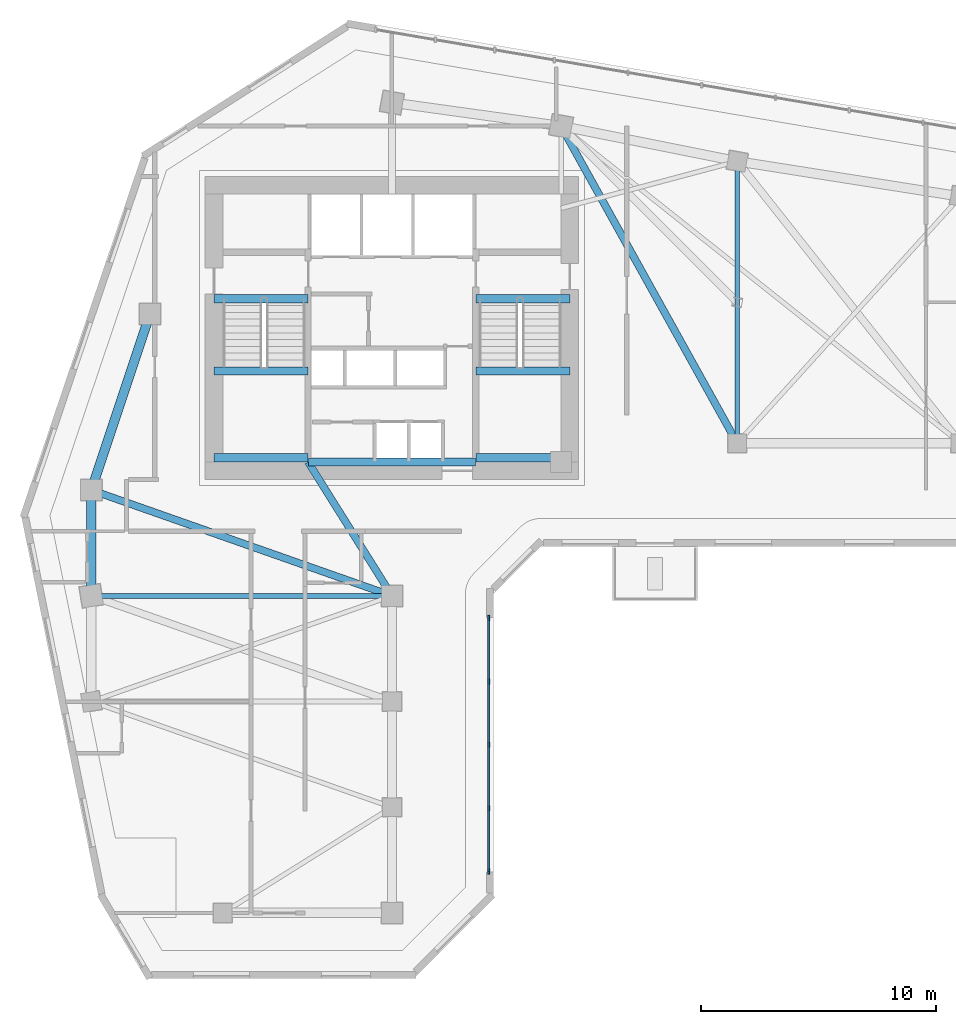
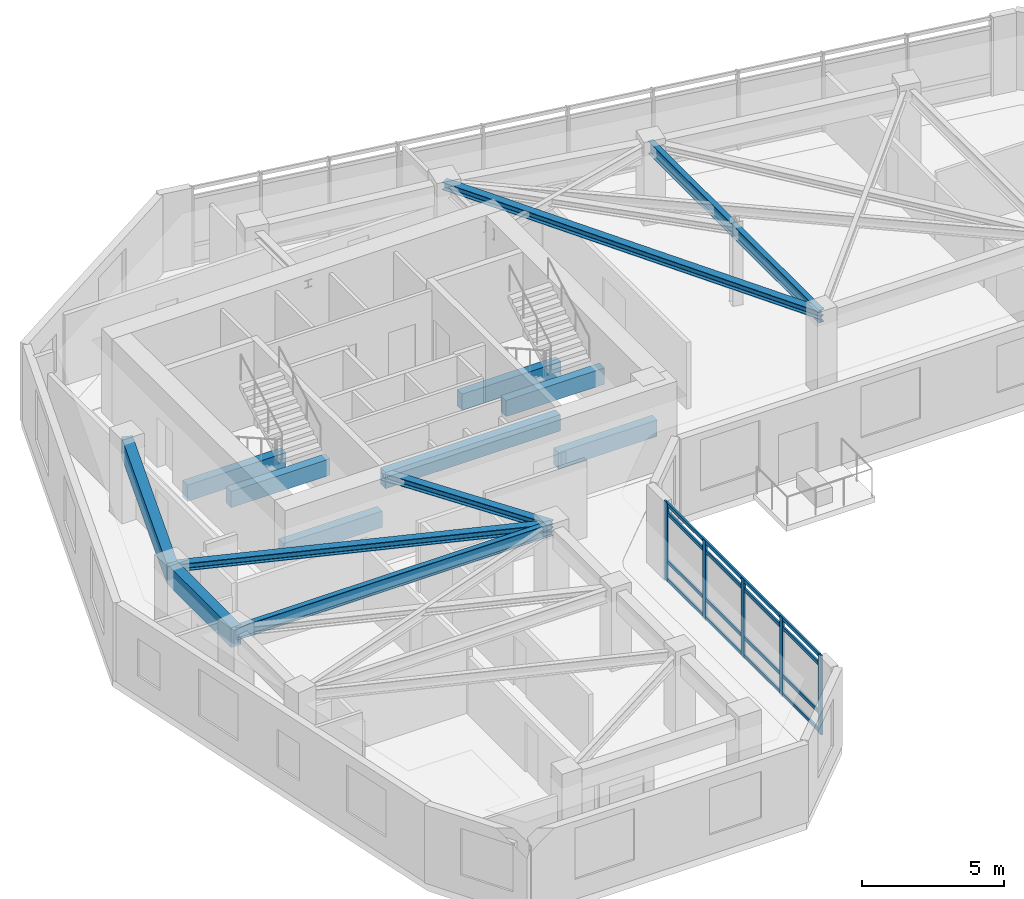
# One storey, part 2 of 10: 14 beams, 9 members, 1 element without a shape of its own.
"""IFC4 building model written with IfcOpenShell, lengths in metres."""

import ifcopenshell
import ifcopenshell.guid

model = None  # the IFC model being written
_history = None  # IfcOwnerHistory: only IFC2X3 demands one
_inside = {}  # id of a spatial element -> (the spatial element, [elements in it])
_under = {}  # id of a project, library or spatial element -> (it, [spatial elements below it])
_declared = {}  # id of a project -> (the project, [libraries it declares])
_typed = {}  # id of a type object -> (the type object, [elements of that type])
_made_of = {}  # id of a material, layer set ... -> (it, [elements and type objects made of it])


def new_model(schema):
    """Start an empty IFC model of exactly this schema.

    Asked for "IFC4X3", IfcOpenShell would pick the latest addendum, in which some entities
    have other attributes; the version numbers below select the first issue.
    IFC2X3 requires an IfcOwnerHistory on every rooted entity: one is made here for all.
    """
    global model, _history
    if schema == "IFC4X3":
        model = ifcopenshell.file(schema_version=(4, 3, 0, 0))
    else:
        model = ifcopenshell.file(schema=schema)
    _inside.clear()
    _under.clear()
    _declared.clear()
    _typed.clear()
    _made_of.clear()
    _history = None
    if model.schema == "IFC2X3":
        org = make("IfcOrganization", Name="unknown")
        user = make(
            "IfcPersonAndOrganization",
            ThePerson=make("IfcPerson", FamilyName="unknown"),
            TheOrganization=org,
        )
        app = make(
            "IfcApplication",
            ApplicationDeveloper=org,
            Version="unknown",
            ApplicationFullName="unknown",
            ApplicationIdentifier="unknown",
        )
        _history = make(
            "IfcOwnerHistory",
            OwningUser=user,
            OwningApplication=app,
            ChangeAction="ADDED",
            CreationDate=0,
        )
    return model


def make(cls, **values):
    """One entity of the class cls with the attributes given. An attribute that is None is left unset."""
    return model.create_entity(
        cls, **{name: value for name, value in values.items() if value is not None}
    )


def rooted(cls, **values):
    """An entity with a GlobalId (a new one), such as an element, a storey or a relation."""
    return make(cls, GlobalId=ifcopenshell.guid.new(), OwnerHistory=_history, **values)


def si_unit(unit_type, name, prefix=None):
    """IfcSIUnit, for example si_unit("LENGTHUNIT", "METRE", prefix="MILLI")."""
    return make("IfcSIUnit", UnitType=unit_type, Prefix=prefix, Name=name)


def assignment(units):
    """IfcUnitAssignment: the units of a project."""
    return None if units is None else make("IfcUnitAssignment", Units=units)


def point(xyz):
    """IfcCartesianPoint."""
    return None if xyz is None else make("IfcCartesianPoint", Coordinates=xyz)


def direction(xyz):
    """IfcDirection."""
    return None if xyz is None else make("IfcDirection", DirectionRatios=xyz)


def frame(location, z_axis=None, x_axis=None):
    """IfcAxis2Placement3D, a coordinate frame: its origin and axes. An axis left out is left unset."""
    return make(
        "IfcAxis2Placement3D",
        Location=point(location),
        Axis=direction(z_axis),
        RefDirection=direction(x_axis),
    )


def frame_2d(location, x_axis=None):
    """IfcAxis2Placement2D, a coordinate frame in the plane: its origin and x axis."""
    return make(
        "IfcAxis2Placement2D", Location=point(location), RefDirection=direction(x_axis)
    )


def origin():
    """The frame at (0, 0, 0) with its axes left unset."""
    return frame((0.0, 0.0, 0.0))


def origin_2d():
    """The frame at (0, 0) in the plane with its x axis left unset."""
    return frame_2d((0.0, 0.0))


def place(relative_to, where):
    """IfcLocalPlacement: puts the frame where relative to a parent placement (None: the world)."""
    return make(
        "IfcLocalPlacement", PlacementRelTo=relative_to, RelativePlacement=where
    )


def context(
    kind, dimensions, precision=None, world=None, true_north=None, identifier=None
):
    """IfcGeometricRepresentationContext, for example the 3D "Model" context."""
    return make(
        "IfcGeometricRepresentationContext",
        ContextIdentifier=identifier,
        ContextType=kind,
        CoordinateSpaceDimension=dimensions,
        Precision=precision,
        WorldCoordinateSystem=world,
        TrueNorth=true_north,
    )


def subcontext(parent, identifier, kind, view, scale=None):
    """IfcGeometricRepresentationSubContext, for example "Body" below "Model"."""
    return make(
        "IfcGeometricRepresentationSubContext",
        ContextIdentifier=identifier,
        ContextType=kind,
        ParentContext=parent,
        TargetScale=scale,
        TargetView=view,
    )


def project(units=None, contexts=None):
    """IfcProject with its units and contexts."""
    return rooted(
        "IfcProject",
        Name="project",
        RepresentationContexts=contexts,
        UnitsInContext=assignment(units),
    )


def spatial(cls, under=None, at=None, **own):
    """A site, building, storey or space (cls), placed at a placement, below another one or the project."""
    s = rooted(cls, ObjectPlacement=at, **own)
    if under is not None:
        _under.setdefault(under.id(), (under, []))[1].append(s)
    return s


def profile(cls, at=None, kind="AREA", **sizes):
    """A parametric profile (cls). Its sizes go by their IFC names, for example OverallWidth=200.0."""
    return make(cls, ProfileType=kind, Position=at, **sizes)


def rectangle(**sizes):
    """IfcRectangleProfileDef."""
    return profile("IfcRectangleProfileDef", **sizes)


def i_section(**sizes):
    """IfcIShapeProfileDef."""
    return profile("IfcIShapeProfileDef", **sizes)


def extrude(swept, where, along, depth):
    """IfcExtrudedAreaSolid: the profile swept, set in the frame where, extruded along a direction by depth."""
    return make(
        "IfcExtrudedAreaSolid",
        SweptArea=swept,
        Position=where,
        ExtrudedDirection=direction(along),
        Depth=depth,
    )


def shape(context_of_items, identifier, shape_type, items):
    """IfcShapeRepresentation: the items that make up one representation, for example the "Body"."""
    return make(
        "IfcShapeRepresentation",
        ContextOfItems=context_of_items,
        RepresentationIdentifier=identifier,
        RepresentationType=shape_type,
        Items=items,
    )


def source(mapping_origin, context_of_items, identifier, shape_type, items):
    """IfcRepresentationMap: a shape defined once, which mapped items show again and again."""
    return make(
        "IfcRepresentationMap",
        MappingOrigin=mapping_origin,
        MappedRepresentation=shape(context_of_items, identifier, shape_type, items),
    )


def transform(
    local_origin,
    x_axis=None,
    y_axis=None,
    z_axis=None,
    scale=None,
    scale2=None,
    scale3=None,
    uniform=True,
):
    """IfcCartesianTransformationOperator3D, or its non-uniform kind. x_axis, y_axis, z_axis: its Axis1, 2, 3."""
    if uniform:
        return make(
            "IfcCartesianTransformationOperator3D",
            Axis1=direction(x_axis),
            Axis2=direction(y_axis),
            LocalOrigin=point(local_origin),
            Scale=scale,
            Axis3=direction(z_axis),
        )
    return make(
        "IfcCartesianTransformationOperator3DnonUniform",
        Axis1=direction(x_axis),
        Axis2=direction(y_axis),
        LocalOrigin=point(local_origin),
        Scale=scale,
        Axis3=direction(z_axis),
        Scale2=scale2,
        Scale3=scale3,
    )


def mapped(mapping_source, mapping_target):
    """IfcMappedItem: shows the shape of a source again, moved by a transform."""
    return make(
        "IfcMappedItem", MappingSource=mapping_source, MappingTarget=mapping_target
    )


def material(Name=None, Category=None):
    """IfcMaterial."""
    return make("IfcMaterial", Name=Name, Category=Category)


def material_profile(
    of_material, cross_section, Name=None, Category=None, Priority=None
):
    """IfcMaterialProfile: a cross section and its material."""
    return make(
        "IfcMaterialProfile",
        Name=Name,
        Material=of_material,
        Profile=cross_section,
        Priority=Priority,
        Category=Category,
    )


def profile_set(profiles, Name=None, composite=None):
    """IfcMaterialProfileSet."""
    return make(
        "IfcMaterialProfileSet",
        Name=Name,
        MaterialProfiles=profiles,
        CompositeProfile=composite,
    )


def made_of(thing, what):
    """Note that an element or type object is made of a material, layer set ...; save() writes the relation."""
    if what is not None:
        _made_of.setdefault(what.id(), (what, []))[1].append(thing)
    return thing


def type_object(cls, material=None, **own):
    """A type object (cls), such as IfcWallType, which elements share."""
    return made_of(rooted(cls, **own), material)


def element(
    cls,
    number,
    at=None,
    inside=None,
    cuts=None,
    type_object=None,
    material=None,
    context=None,
    identifier="Body",
    shape_type=None,
    held_by="IfcProductDefinitionShape",
    body=None,
    shapes=None,
    **own,
):
    """One element of the class cls, such as IfcWall. Its Tag is "e" and its number.

    at: its placement. inside: the storey or other place that contains it. cuts: it is an
    opening in that element (IfcRelVoidsElement). A single representation is given by context,
    identifier, shape_type and body (its items); several are given by shapes. held_by: the class
    of the entity that holds the representations. save() writes the other relations.
    """
    e = rooted(cls, Tag="e%d" % number, ObjectPlacement=at, **own)
    if body is not None:
        shapes = [shape(context, identifier, shape_type, body)]
    if shapes is not None:
        e.Representation = make(held_by, Representations=shapes)
    if inside is not None:
        _inside.setdefault(inside.id(), (inside, []))[1].append(e)
    if cuts is not None:
        rooted(
            "IfcRelVoidsElement", RelatingBuildingElement=cuts, RelatedOpeningElement=e
        )
    if type_object is not None:
        _typed.setdefault(type_object.id(), (type_object, []))[1].append(e)
    return made_of(e, material)


def aggregate(whole, parts):
    """IfcRelAggregates: a whole, such as a stair, and the parts it consists of."""
    return rooted("IfcRelAggregates", RelatingObject=whole, RelatedObjects=parts)


def save(model, path):
    """Write the relations noted so far, then the file.

    IfcRelAggregates (storeys below a building ...), IfcRelContainedInSpatialStructure (elements
    in a storey), IfcRelDefinesByType, IfcRelAssociatesMaterial and IfcRelDeclares: one each for
    every whole, place, type object, material and project.
    """
    for whole, parts in _under.values():
        aggregate(whole, parts)
    for where, things in _inside.values():
        rooted(
            "IfcRelContainedInSpatialStructure",
            RelatedElements=things,
            RelatingStructure=where,
        )
    for kind, things in _typed.values():
        rooted("IfcRelDefinesByType", RelatedObjects=things, RelatingType=kind)
    for what, things in _made_of.values():
        rooted("IfcRelAssociatesMaterial", RelatedObjects=things, RelatingMaterial=what)
    for by, libraries in _declared.values():
        rooted("IfcRelDeclares", RelatingContext=by, RelatedDefinitions=libraries)
    model.write(path)


model = new_model("IFC4")

# Units and contexts
model_context = context("Model", 3, precision=1e-05, world=origin(), true_north=direction((0.0, 1.0)))
body_context = subcontext(model_context, "Body", "Model", "MODEL_VIEW")
ifc_project = project(units=[si_unit("LENGTHUNIT", "METRE"), si_unit("AREAUNIT", "SQUARE_METRE"), si_unit("VOLUMEUNIT", "CUBIC_METRE"), si_unit("PLANEANGLEUNIT", "RADIAN"), si_unit("MASSUNIT", "GRAM", prefix="KILO")], contexts=[model_context])

# Site, building, storey
site_placement = place(None, origin())
site = spatial("IfcSite", under=ifc_project, at=site_placement, CompositionType="ELEMENT")
building_placement = place(site_placement, origin())
building = spatial("IfcBuilding", under=site, at=building_placement, Name="Calvemar Wedge Station Tower", CompositionType="ELEMENT")
storey_placement = place(building_placement, frame((0.0, 0.0, 139.39990234375)))
storey = spatial("IfcBuildingStorey", under=building, at=storey_placement, Name="L34", CompositionType="ELEMENT", Elevation=139.39990234375)

# Beams
ifc_material_1 = material(Name="Concrete C60", Category="concrete")
ifc_material_profile_1 = material_profile(ifc_material_1, rectangle(XDim=0.39990234375, YDim=0.85009765625, at=origin_2d()), Name="RC400x850")
ifc_profile_set_1 = profile_set([ifc_material_profile_1], Name="Concrete C60")
beam_type_1 = type_object("IfcBeamType", Name="BM-SP1-850", PredefinedType="SPANDREL", material=ifc_profile_set_1)
shared_shape_1 = source(origin(), body_context, "Body", "SweptSolid", [
    extrude(rectangle(XDim=0.39990234375, YDim=0.85009765625, at=origin_2d()), origin(), (0.0, 0.0, 1.0), 7.90576171875),
])
beam_1_placement = place(storey_placement, frame((11.0, 33.0, 2.925048828125), z_axis=(0.316227766017, 0.948683298051, 0.0), x_axis=(-0.948683298051, 0.316227766017, 0.0)))
element("IfcBeam", 1, at=beam_1_placement, inside=storey, type_object=beam_type_1, Name="Storey L34 Spandrel T-NW1-T-NW2", PredefinedType="SPANDREL", context=body_context, shape_type="MappedRepresentation", body=[
    mapped(shared_shape_1, transform((0.0, 0.0, 0.0), scale=1.0)),
])
shared_shape_2 = source(origin(), body_context, "Body", "SweptSolid", [
    extrude(rectangle(XDim=0.39990234375, YDim=0.85009765625, at=origin_2d()), origin(), (0.0, 0.0, 1.0), 4.5),
])
beam_2_placement = place(storey_placement, frame((11.0, 33.0, 2.925048828125), z_axis=(0.0, -1.0, 0.0), x_axis=(1.0, 0.0, 0.0)))
element("IfcBeam", 2, at=beam_2_placement, inside=storey, type_object=beam_type_1, Name="Storey L34 Spandrel T-NW1-T-SW1", PredefinedType="SPANDREL", context=body_context, shape_type="MappedRepresentation", body=[
    mapped(shared_shape_2, transform((0.0, 0.0, 0.0), scale=1.0)),
])
ifc_material_2 = material(Name="Concrete C70", Category="concrete")
ifc_material_profile_2 = material_profile(ifc_material_2, rectangle(XDim=0.35009765625, YDim=0.699951171875, at=origin_2d()), Name="RC350x700")
ifc_profile_set_2 = profile_set([ifc_material_profile_2], Name="Concrete C70")
beam_type_2 = type_object("IfcBeamType", Name="BM-LN1-700", PredefinedType="LINTEL", material=ifc_profile_set_2)
shared_shape_3 = source(origin(), body_context, "Body", "SweptSolid", [
    extrude(rectangle(XDim=0.35009765625, YDim=0.699951171875, at=origin_2d()), origin(), (0.0, 0.0, 1.0), 7.10009765625),
])
beam_3_placement = place(storey_placement, frame((20.25, 34.199951171875, 3.0), z_axis=(1.0, 0.0, 0.0), x_axis=(0.0, 1.0, 0.0)))
element("IfcBeam", 3, at=beam_3_placement, inside=storey, type_object=beam_type_2, Name="Storey L34 Core Coupling Lintel South", PredefinedType="LINTEL", context=body_context, shape_type="MappedRepresentation", body=[
    mapped(shared_shape_3, transform((0.0, 0.0, 0.0), scale=1.0)),
])
ifc_material_3 = material(Name="Structural steel ASTM A572 Grade 50", Category="steel")
ifc_material_profile_3 = material_profile(ifc_material_3, i_section(OverallWidth=0.30908203125, OverallDepth=0.322998046875, WebThickness=0.013916015625, FlangeThickness=0.02294921875, FilletRadius=0.014892578125, at=origin_2d()), Name="W310x143")
ifc_profile_set_3 = profile_set([ifc_material_profile_3], Name="Structural steel ASTM A572 Grade 50")
beam_type_3 = type_object("IfcBeamType", Name="BM-J5-W310H", PredefinedType="JOIST", material=ifc_profile_set_3)
shared_shape_4 = source(origin(), body_context, "Body", "SweptSolid", [
    extrude(i_section(OverallWidth=0.30908203125, OverallDepth=0.322998046875, WebThickness=0.013916015625, FlangeThickness=0.02294921875, FilletRadius=0.014892578125, at=origin_2d()), origin(), (0.0, 0.0, 1.0), 15.443359375),
])
beam_4_placement = place(storey_placement, frame((31.0, 48.5, 3.1884765625), z_axis=(0.485642931179, -0.874157276122, 0.0), x_axis=(0.874157276122, 0.485642931179, 0.0)))
element("IfcBeam", 4, at=beam_4_placement, inside=storey, type_object=beam_type_3, Name="Storey L34 Floor Beam T-N2-T-NL2", PredefinedType="JOIST", context=body_context, shape_type="MappedRepresentation", body=[
    mapped(shared_shape_4, transform((0.0, 0.0, 0.0), scale=1.0)),
])
shared_shape_5 = source(origin(), body_context, "Body", "SweptSolid", [
    extrude(i_section(OverallWidth=0.30908203125, OverallDepth=0.322998046875, WebThickness=0.013916015625, FlangeThickness=0.02294921875, FilletRadius=0.014892578125, at=origin_2d()), origin(), (0.0, 0.0, 1.0), 13.568115234375),
])
beam_5_placement = place(storey_placement, frame((11.0, 33.0, 3.1884765625), z_axis=(0.943398221169, -0.331662171939, 0.0), x_axis=(0.331662171939, 0.943398221169, 0.0)))
element("IfcBeam", 5, at=beam_5_placement, inside=storey, type_object=beam_type_3, Name="Storey L34 Floor Beam T-NW1-T-SE1", PredefinedType="JOIST", context=body_context, shape_type="MappedRepresentation", body=[
    mapped(shared_shape_5, transform((0.0, 0.0, 0.0), scale=1.0)),
])
shared_shape_6 = source(origin(), body_context, "Body", "SweptSolid", [
    extrude(i_section(OverallWidth=0.30908203125, OverallDepth=0.322998046875, WebThickness=0.013916015625, FlangeThickness=0.02294921875, FilletRadius=0.014892578125, at=origin_2d()), origin(), (0.0, 0.0, 1.0), 6.7255859375),
])
beam_6_placement = place(storey_placement, frame((20.22998046875, 34.199951171875, 3.1884765625), z_axis=(0.530811158438, -0.847490126242, 0.0), x_axis=(0.847490126242, 0.530811158438, 0.0)))
element("IfcBeam", 6, at=beam_6_placement, inside=storey, type_object=beam_type_3, Name="Storey L34 Core-to-Column Joist CJ-S2", PredefinedType="JOIST", context=body_context, shape_type="MappedRepresentation", body=[
    mapped(shared_shape_6, transform((0.0, 0.0, 0.0), scale=1.0)),
])
shared_shape_7 = source(origin(), body_context, "Body", "SweptSolid", [
    extrude(rectangle(XDim=0.35009765625, YDim=0.699951171875, at=origin_2d()), origin(), (0.0, 0.0, 1.0), 4.0048828125),
])
for number, where, z_axis, x_axis, name in (
    (7, (16.22509765625, 41.14990234375, -0.349853515625), (1.0, 0.0, 0.0), (0.0, 1.0, 0.0), "Storey L34 Stair ST-C1 Landing Trimmer Beam"),
    (8, (27.3701171875, 41.14990234375, -0.349853515625), (1.0, 0.0, 0.0), (0.0, 1.0, 0.0), "Storey L34 Stair ST-C2 Landing Trimmer Beam"),
    (9, (16.22509765625, 34.3798828125, 1.25), (1.0, 0.0, 0.0), (0.0, 1.0, 0.0), "Storey L34 Stair ST-C1 Half-Landing Beam 1A"),
    (10, (16.22509765625, 38.070068359375, 1.25), (1.0, 0.0, 0.0), (0.0, 1.0, 0.0), "Storey L34 Stair ST-C1 Half-Landing Beam 1B"),
    (11, (27.3701171875, 34.3798828125, 1.25), (1.0, 0.0, 0.0), (0.0, 1.0, 0.0), "Storey L34 Stair ST-C2 Half-Landing Beam 1A"),
    (12, (27.3701171875, 38.070068359375, 1.25), (1.0, 0.0, 0.0), (0.0, 1.0, 0.0), "Storey L34 Stair ST-C2 Half-Landing Beam 1B"),
):
    element("IfcBeam", number, at=place(storey_placement, frame(where, z_axis=z_axis, x_axis=x_axis)), inside=storey, type_object=beam_type_2, Name=name, PredefinedType="LINTEL", context=body_context, shape_type="MappedRepresentation", body=[
        mapped(shared_shape_7, transform((0.0, 0.0, 0.0), scale=1.0)),
    ])
ifc_material_profile_4 = material_profile(ifc_material_3, i_section(OverallWidth=0.2109375, OverallDepth=0.5390625, WebThickness=0.01171875, FlangeThickness=0.018798828125, FilletRadius=0.012939453125, at=origin_2d()), Name="W530x109")
ifc_profile_set_4 = profile_set([ifc_material_profile_4], Name="Structural steel ASTM A572 Grade 50")
beam_type_4 = type_object("IfcBeamType", Name="BM-SB4-W530", PredefinedType="BEAM", material=ifc_profile_set_4)
shared_shape_8 = source(origin(), body_context, "Body", "SweptSolid", [
    extrude(i_section(OverallWidth=0.2109375, OverallDepth=0.5390625, WebThickness=0.01171875, FlangeThickness=0.018798828125, FilletRadius=0.012939453125, at=origin_2d()), origin(), (0.0, 0.0, 1.0), 12.0),
])
beam_7_placement = place(storey_placement, frame((38.5, 47.0, 3.08056640625), z_axis=(0.0, -1.0, 0.0), x_axis=(1.0, 0.0, 0.0)))
element("IfcBeam", 13, at=beam_7_placement, inside=storey, type_object=beam_type_4, Name="Storey L34 Floor Beam T-NU3-T-NL2", PredefinedType="BEAM", context=body_context, shape_type="MappedRepresentation", body=[
    mapped(shared_shape_8, transform((0.0, 0.0, 0.0), scale=1.0)),
])
shared_shape_9 = source(origin(), body_context, "Body", "SweptSolid", [
    extrude(i_section(OverallWidth=0.2109375, OverallDepth=0.5390625, WebThickness=0.01171875, FlangeThickness=0.018798828125, FilletRadius=0.012939453125, at=origin_2d()), origin(), (0.0, 0.0, 1.0), 12.800048828125),
])
beam_8_placement = place(storey_placement, frame((11.0, 28.5, 3.08056640625), z_axis=(1.0, 0.0, 0.0), x_axis=(0.0, 1.0, 0.0)))
element("IfcBeam", 14, at=beam_8_placement, inside=storey, type_object=beam_type_4, Name="Storey L34 Floor Beam T-SW1-T-SE1", PredefinedType="BEAM", context=body_context, shape_type="MappedRepresentation", body=[
    mapped(shared_shape_9, transform((0.0, 0.0, 0.0), scale=1.0)),
])

# Curtain wall, members
ifc_material_4 = material(Name="Anodised aluminium 6063-T6", Category="aluminium")
curtain_wall_type = type_object("IfcCurtainWallType", Name="CW2", PredefinedType="NOTDEFINED", material=ifc_material_4)
curtain_wall_placement = place(storey_placement, origin())
curtain_wall = element("IfcCurtainWall", 15, at=curtain_wall_placement, inside=storey, type_object=curtain_wall_type, Name="Storey L34 CW2 Recessed Unitised Curtain Wall 4", PredefinedType="NOTDEFINED")
ifc_material_profile_5 = material_profile(ifc_material_4, rectangle(XDim=0.074951171875, YDim=0.219970703125, at=origin_2d()), Name="AL-MUL-75x220")
ifc_profile_set_5 = profile_set([ifc_material_profile_5], Name="Anodised aluminium 6063-T6")
member_type_1 = type_object("IfcMemberType", Name="CW2-MUL", PredefinedType="MULLION", material=ifc_profile_set_5)
shared_shape_10 = source(origin(), body_context, "Body", "SweptSolid", [
    extrude(rectangle(XDim=0.074951171875, YDim=0.219970703125, at=origin_2d()), origin(), (0.0, 0.0, 1.0), 3.39990234375),
])
member_1_placement = place(storey_placement, frame((27.91796875, 16.76220703125, -0.0498046875), z_axis=(0.0, 0.0, 1.0), x_axis=(1.0, 0.0, 0.0)))
member_1 = element("IfcMember", 16, at=member_1_placement, type_object=member_type_1, Name="CW2 mullion 1", PredefinedType="MULLION", context=body_context, shape_type="MappedRepresentation", body=[
    mapped(shared_shape_10, transform((0.0, 0.0, 0.0), scale=1.0)),
])
member_2_placement = place(storey_placement, frame((27.91796875, 19.460205078125, -0.0498046875), z_axis=(0.0, 0.0, 1.0), x_axis=(1.0, 0.0, 0.0)))
member_2 = element("IfcMember", 17, at=member_2_placement, type_object=member_type_1, Name="CW2 mullion 2", PredefinedType="MULLION", context=body_context, shape_type="MappedRepresentation", body=[
    mapped(shared_shape_10, transform((0.0, 0.0, 0.0), scale=1.0)),
])
member_3_placement = place(storey_placement, frame((27.91796875, 22.158203125, -0.0498046875), z_axis=(0.0, 0.0, 1.0), x_axis=(1.0, 0.0, 0.0)))
member_3 = element("IfcMember", 18, at=member_3_placement, type_object=member_type_1, Name="CW2 mullion 3", PredefinedType="MULLION", context=body_context, shape_type="MappedRepresentation", body=[
    mapped(shared_shape_10, transform((0.0, 0.0, 0.0), scale=1.0)),
])
member_4_placement = place(storey_placement, frame((27.91796875, 24.856201171875, -0.0498046875), z_axis=(0.0, 0.0, 1.0), x_axis=(1.0, 0.0, 0.0)))
member_4 = element("IfcMember", 19, at=member_4_placement, type_object=member_type_1, Name="CW2 mullion 4", PredefinedType="MULLION", context=body_context, shape_type="MappedRepresentation", body=[
    mapped(shared_shape_10, transform((0.0, 0.0, 0.0), scale=1.0)),
])
member_5_placement = place(storey_placement, frame((27.91796875, 27.55419921875, -0.0498046875), z_axis=(0.0, 0.0, 1.0), x_axis=(1.0, 0.0, 0.0)))
member_5 = element("IfcMember", 20, at=member_5_placement, type_object=member_type_1, Name="CW2 mullion 5", PredefinedType="MULLION", context=body_context, shape_type="MappedRepresentation", body=[
    mapped(shared_shape_10, transform((0.0, 0.0, 0.0), scale=1.0)),
])
ifc_material_profile_6 = material_profile(ifc_material_4, rectangle(XDim=0.074951171875, YDim=0.14990234375, at=origin_2d()), Name="AL-TRN-75x150")
ifc_profile_set_6 = profile_set([ifc_material_profile_6], Name="Anodised aluminium 6063-T6")
member_type_2 = type_object("IfcMemberType", Name="CW2-TRN", PredefinedType="USERDEFINED", material=ifc_profile_set_6)
shared_shape_11 = source(origin(), body_context, "Body", "SweptSolid", [
    extrude(rectangle(XDim=0.074951171875, YDim=0.14990234375, at=origin_2d()), origin(), (0.0, 0.0, 1.0), 10.7919921875),
])
member_6_placement = place(storey_placement, frame((27.91796875, 16.76220703125, 0.06005859375), z_axis=(0.0, 1.0, 0.0), x_axis=(-1.0, 0.0, 0.0)))
member_6 = element("IfcMember", 21, at=member_6_placement, type_object=member_type_2, Name="CW2 transom 1", ObjectType="TRANSOM", PredefinedType="USERDEFINED", context=body_context, shape_type="MappedRepresentation", body=[
    mapped(shared_shape_11, transform((0.0, 0.0, 0.0), scale=1.0)),
])
member_7_placement = place(storey_placement, frame((27.91796875, 16.76220703125, 0.85009765625), z_axis=(0.0, 1.0, 0.0), x_axis=(-1.0, 0.0, 0.0)))
member_7 = element("IfcMember", 22, at=member_7_placement, type_object=member_type_2, Name="CW2 transom 2", ObjectType="TRANSOM", PredefinedType="USERDEFINED", context=body_context, shape_type="MappedRepresentation", body=[
    mapped(shared_shape_11, transform((0.0, 0.0, 0.0), scale=1.0)),
])
member_8_placement = place(storey_placement, frame((27.91796875, 16.76220703125, 2.900146484375), z_axis=(0.0, 1.0, 0.0), x_axis=(-1.0, 0.0, 0.0)))
member_8 = element("IfcMember", 23, at=member_8_placement, type_object=member_type_2, Name="CW2 transom 3", ObjectType="TRANSOM", PredefinedType="USERDEFINED", context=body_context, shape_type="MappedRepresentation", body=[
    mapped(shared_shape_11, transform((0.0, 0.0, 0.0), scale=1.0)),
])
member_9_placement = place(storey_placement, frame((27.91796875, 16.76220703125, 3.2900390625), z_axis=(0.0, 1.0, 0.0), x_axis=(-1.0, 0.0, 0.0)))
member_9 = element("IfcMember", 24, at=member_9_placement, type_object=member_type_2, Name="CW2 transom 4", ObjectType="TRANSOM", PredefinedType="USERDEFINED", context=body_context, shape_type="MappedRepresentation", body=[
    mapped(shared_shape_11, transform((0.0, 0.0, 0.0), scale=1.0)),
])
aggregate(curtain_wall, [member_1, member_2, member_3, member_4, member_5, member_6, member_7, member_8, member_9])

save(model, "model.ifc")
